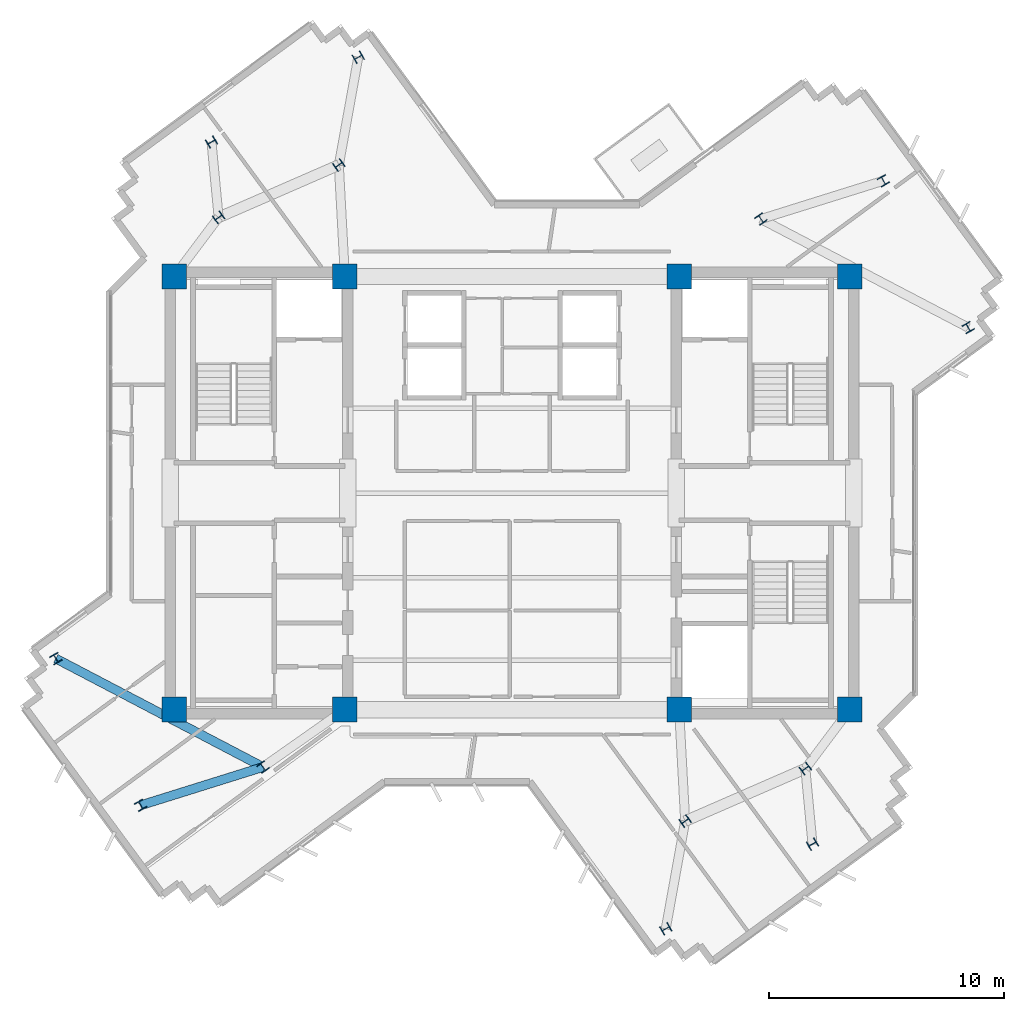
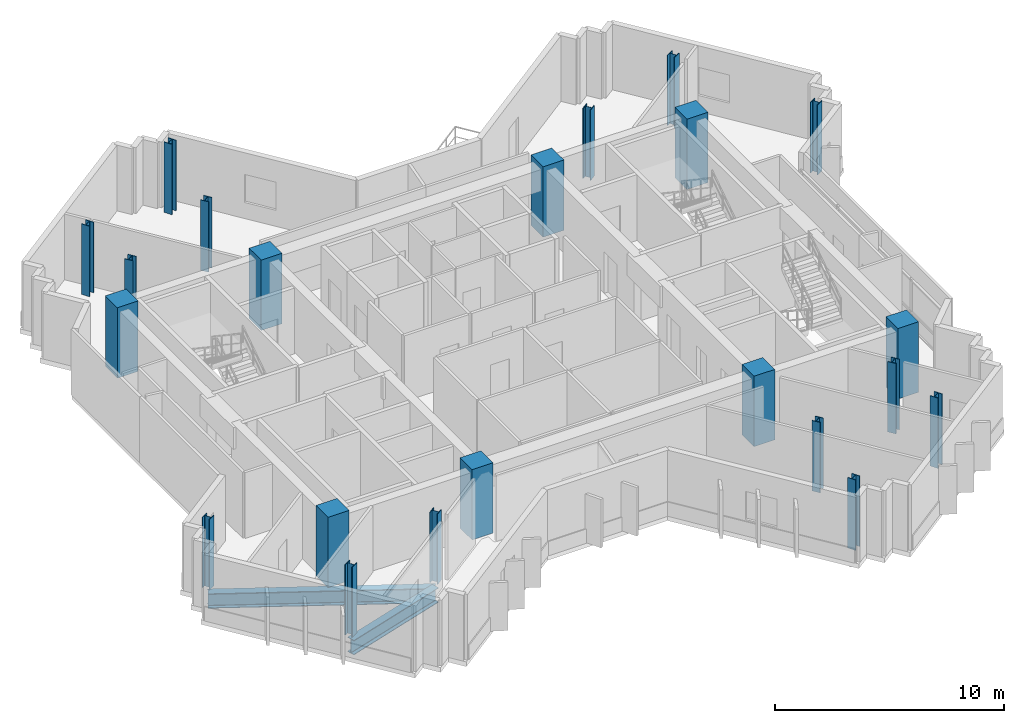
# One storey, part 1 of 13: 22 columns, 2 beams.
"""IFC4 building model written with IfcOpenShell, lengths in metres."""

from ifc_helpers import new_model, si_unit, direction, frame, origin, origin_2d, place, context, subcontext, project, spatial, rectangle, i_section, extrude, source, transform, mapped, material, material_profile, profile_set, type_object, element, save


model = new_model("IFC4")

# Units and contexts
model_context = context("Model", 3, precision=1e-05, world=origin(), true_north=direction((0.0, 1.0)))
body_context = subcontext(model_context, "Body", "Model", "MODEL_VIEW")
ifc_project = project(units=[si_unit("LENGTHUNIT", "METRE"), si_unit("AREAUNIT", "SQUARE_METRE"), si_unit("VOLUMEUNIT", "CUBIC_METRE"), si_unit("PLANEANGLEUNIT", "RADIAN"), si_unit("MASSUNIT", "GRAM", prefix="KILO")], contexts=[model_context])

# Site, building, storey
site_placement = place(None, origin())
site = spatial("IfcSite", under=ifc_project, at=site_placement, CompositionType="ELEMENT")
building_placement = place(site_placement, origin())
building = spatial("IfcBuilding", under=site, at=building_placement, Name="Zahravan Cultural Tower", CompositionType="ELEMENT")
storey_placement = place(building_placement, frame((0.0, 0.0, 276.60009765625)))
storey = spatial("IfcBuildingStorey", under=building, at=storey_placement, Name="L66", CompositionType="ELEMENT", Elevation=276.60009765625)

# Columns
ifc_material_1 = material(Name="Concrete C50/60", Category="concrete")
ifc_material_profile_1 = material_profile(ifc_material_1, rectangle(XDim=1.050048828125, YDim=1.050048828125, at=origin_2d()), Name="RC1050X1050")
ifc_profile_set_1 = profile_set([ifc_material_profile_1], Name="Concrete C50/60")
column_type_1 = type_object("IfcColumnType", Name="COL-RC1050", PredefinedType="COLUMN", material=ifc_profile_set_1)
shared_shape_1 = source(origin(), body_context, "Body", "SweptSolid", [
    extrude(rectangle(XDim=1.050048828125, YDim=1.050048828125, at=origin_2d()), origin(), (0.0, 0.0, 1.0), 3.75),
])
for number, where, z_axis, x_axis, name in (
    (1, (21.64990234375, 17.800048828125, 0.0), (0.0, 0.0, 1.0), (1.0, 0.0, 0.0), "L66 Column CC-W1"),
    (2, (28.89990234375, 17.800048828125, 0.0), (0.0, 0.0, 1.0), (1.0, 0.0, 0.0), "L66 Column CC-W2"),
    (3, (21.64990234375, 36.199951171875, 0.0), (0.0, 0.0, 1.0), (1.0, 0.0, 0.0), "L66 Column CC-W3"),
    (4, (28.89990234375, 36.199951171875, 0.0), (0.0, 0.0, 1.0), (1.0, 0.0, 0.0), "L66 Column CC-W4"),
    (5, (43.10009765625, 17.800048828125, 0.0), (0.0, 0.0, 1.0), (1.0, 0.0, 0.0), "L66 Column CC-E1"),
    (6, (50.35009765625, 17.800048828125, 0.0), (0.0, 0.0, 1.0), (1.0, 0.0, 0.0), "L66 Column CC-E2"),
    (7, (43.10009765625, 36.199951171875, 0.0), (0.0, 0.0, 1.0), (1.0, 0.0, 0.0), "L66 Column CC-E3"),
    (8, (50.35009765625, 36.199951171875, 0.0), (0.0, 0.0, 1.0), (1.0, 0.0, 0.0), "L66 Column CC-E4"),
):
    element("IfcColumn", number, at=place(storey_placement, frame(where, z_axis=z_axis, x_axis=x_axis)), inside=storey, type_object=column_type_1, Name=name, PredefinedType="COLUMN", context=body_context, shape_type="MappedRepresentation", body=[
        mapped(shared_shape_1, transform((0.0, 0.0, 0.0), x_axis=(1.0, 0.0, 0.0), y_axis=(0.0, 1.0, 0.0), z_axis=(0.0, 0.0, 1.0), scale=1.0)),
    ])
ifc_material_2 = material(Name="Steel ASTM A992 Grade 50", Category="steel")
ifc_material_profile_2 = material_profile(ifc_material_2, i_section(OverallWidth=0.39892578125, OverallDepth=0.385986328125, WebThickness=0.02099609375, FlangeThickness=0.033203125, FilletRadius=0.01806640625, at=origin_2d()), Name="W14X176")
ifc_profile_set_2 = profile_set([ifc_material_profile_2], Name="Steel ASTM A992 Grade 50")
column_type_2 = type_object("IfcColumnType", Name="COL-W14X176", PredefinedType="COLUMN", material=ifc_profile_set_2)
shared_shape_2 = source(origin(), body_context, "Body", "SweptSolid", [
    extrude(i_section(OverallWidth=0.39892578125, OverallDepth=0.385986328125, WebThickness=0.02099609375, FlangeThickness=0.033203125, FilletRadius=0.01806640625, at=origin_2d()), origin(), (0.0, 0.0, 1.0), 3.75),
])
for number, where, z_axis, x_axis, name in (
    (9, (46.577880859375, 38.640625, 0.0), (0.0, 0.0, 1.0), (0.809016994375, 0.587785252292, 0.0), "L66 Column Z3C-E2"),
    (10, (28.642578125, 40.937255859375, 0.0), (0.0, 0.0, 1.0), (-0.587785252292, 0.809016994375, 0.0), "L66 Column Z3C-N1"),
    (11, (23.536376953125, 38.710693359375, 0.0), (0.0, 0.0, 1.0), (-0.587785252292, 0.809016994375, 0.0), "L66 Column Z3C-N2"),
    (12, (25.422119140625, 15.359375, 0.0), (0.0, 0.0, 1.0), (0.809016994375, 0.587785252292, 0.0), "L66 Column Z3C-W2"),
    (13, (43.357421875, 13.062744140625, 0.0), (0.0, 0.0, 1.0), (-0.587785252292, 0.809016994375, 0.0), "L66 Column Z3C-S1"),
    (14, (48.463623046875, 15.289306640625, 0.0), (0.0, 0.0, 1.0), (-0.587785252292, 0.809016994375, 0.0), "L66 Column Z3C-S2"),
    (15, (55.38037109375, 34.0322265625, 0.0), (0.0, 0.0, 1.0), (0.866025403784, 0.5, 0.0), "L66 Column Z3T-E1"),
    (16, (51.7802734375, 40.267578125, 0.0), (0.0, 0.0, 1.0), (0.866025403784, 0.5, 0.0), "L66 Column Z3T-E2"),
    (17, (29.4677734375, 45.514404296875, 0.0), (0.0, 0.0, 1.0), (-0.5, 0.866025403784, 0.0), "L66 Column Z3T-N1"),
    (18, (23.232421875, 41.914306640625, 0.0), (0.0, 0.0, 1.0), (-0.5, 0.866025403784, 0.0), "L66 Column Z3T-N2"),
    (19, (16.61962890625, 19.9677734375, 0.0), (0.0, 0.0, 1.0), (0.866025403784, 0.5, 0.0), "L66 Column Z3T-W1"),
    (20, (20.2197265625, 13.732421875, 0.0), (0.0, 0.0, 1.0), (0.866025403784, 0.5, 0.0), "L66 Column Z3T-W2"),
    (21, (42.5322265625, 8.485595703125, 0.0), (0.0, 0.0, 1.0), (-0.5, 0.866025403784, 0.0), "L66 Column Z3T-S1"),
    (22, (48.767578125, 12.085693359375, 0.0), (0.0, 0.0, 1.0), (-0.5, 0.866025403784, 0.0), "L66 Column Z3T-S2"),
):
    element("IfcColumn", number, at=place(storey_placement, frame(where, z_axis=z_axis, x_axis=x_axis)), inside=storey, type_object=column_type_2, Name=name, PredefinedType="COLUMN", context=body_context, shape_type="MappedRepresentation", body=[
        mapped(shared_shape_2, transform((0.0, 0.0, 0.0), x_axis=(1.0, 0.0, 0.0), y_axis=(0.0, 1.0, 0.0), z_axis=(0.0, 0.0, 1.0), scale=1.0)),
    ])

# Beams
ifc_material_profile_3 = material_profile(ifc_material_2, i_section(OverallWidth=0.382080078125, OverallDepth=0.779052734375, WebThickness=0.01806640625, FlangeThickness=0.030029296875, FilletRadius=0.01904296875, at=origin_2d()), Name="W30X191")
ifc_profile_set_3 = profile_set([ifc_material_profile_3], Name="Steel ASTM A992 Grade 50")
beam_type = type_object("IfcBeamType", Name="BM-G-W30X191", PredefinedType="BEAM", material=ifc_profile_set_3)
shared_shape_3 = source(origin(), body_context, "Body", "SweptSolid", [
    extrude(i_section(OverallWidth=0.382080078125, OverallDepth=0.779052734375, WebThickness=0.01806640625, FlangeThickness=0.030029296875, FilletRadius=0.01904296875, at=origin_2d()), origin(), (0.0, 0.0, 1.0), 9.935791015625),
])
beam_1_placement = place(storey_placement, frame((25.422119140625, 15.359375, -0.6396484375), z_axis=(-0.885932031042, 0.463815088558, 0.0), x_axis=(-0.463815088558, -0.885932031042, 0.0)))
element("IfcBeam", 23, at=beam_1_placement, inside=storey, type_object=beam_type, Name="L66 Beam BG-L66-16", PredefinedType="BEAM", context=body_context, shape_type="MappedRepresentation", body=[
    mapped(shared_shape_3, transform((0.0, 0.0, 0.0), x_axis=(1.0, 0.0, 0.0), y_axis=(0.0, 1.0, 0.0), z_axis=(0.0, 0.0, 1.0), scale=1.0)),
])
shared_shape_4 = source(origin(), body_context, "Body", "SweptSolid", [
    extrude(i_section(OverallWidth=0.382080078125, OverallDepth=0.779052734375, WebThickness=0.01806640625, FlangeThickness=0.030029296875, FilletRadius=0.01904296875, at=origin_2d()), origin(), (0.0, 0.0, 1.0), 5.450927734375),
])
beam_2_placement = place(storey_placement, frame((25.422119140625, 15.359375, -0.6396484375), z_axis=(-0.954416996605, -0.298476459025, 0.0), x_axis=(0.298476459025, -0.954416996605, 0.0)))
element("IfcBeam", 24, at=beam_2_placement, inside=storey, type_object=beam_type, Name="L66 Beam BG-L66-17", PredefinedType="BEAM", context=body_context, shape_type="MappedRepresentation", body=[
    mapped(shared_shape_4, transform((0.0, 0.0, 0.0), x_axis=(1.0, 0.0, 0.0), y_axis=(0.0, 1.0, 0.0), z_axis=(0.0, 0.0, 1.0), scale=1.0)),
])

save(model, "model.ifc")
